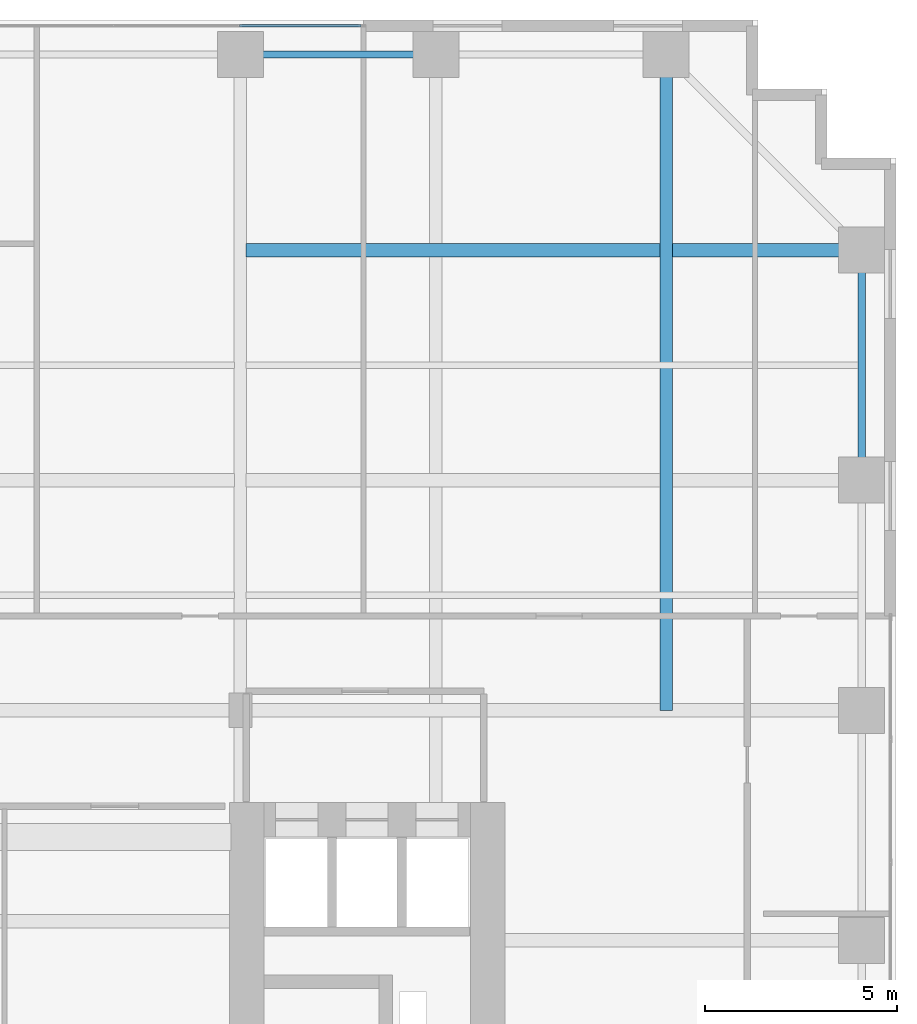
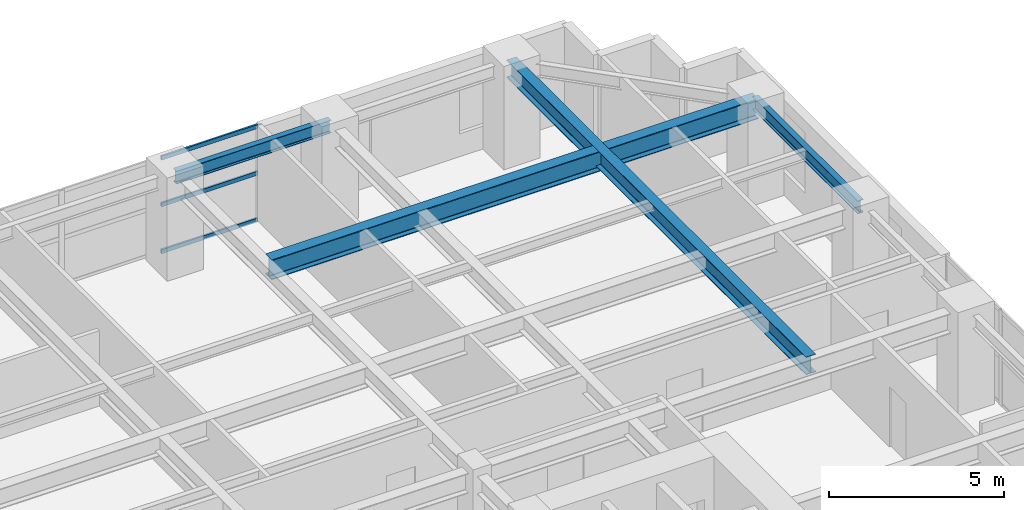
# One storey, part 17 of 24: 4 beams, 3 members, 1 element without a shape of its own.
"""IFC4 building model written with IfcOpenShell, lengths in metres."""

from ifc_helpers import new_model, si_unit, direction, frame, origin, origin_2d, place, context, subcontext, project, spatial, hollow_rectangle, i_section, extrude, source, transform, mapped, material, layer, layer_set, material_profile, profile_set, type_object, element, aggregate, save


model = new_model("IFC4")

# Units and contexts
model_context = context("Model", 3, precision=1e-05, world=origin(), true_north=direction((0.0, 1.0)))
body_context = subcontext(model_context, "Body", "Model", "MODEL_VIEW")
ifc_project = project(units=[si_unit("LENGTHUNIT", "METRE"), si_unit("AREAUNIT", "SQUARE_METRE"), si_unit("VOLUMEUNIT", "CUBIC_METRE"), si_unit("PLANEANGLEUNIT", "RADIAN"), si_unit("MASSUNIT", "GRAM", prefix="KILO")], contexts=[model_context])

# Site, building, storey
site_placement = place(None, origin())
site = spatial("IfcSite", under=ifc_project, at=site_placement, CompositionType="ELEMENT")
building_placement = place(site_placement, origin())
building = spatial("IfcBuilding", under=site, at=building_placement, Name="Khoralis Quay Care Tower", CompositionType="ELEMENT")
storey_placement = place(building_placement, frame((0.0, 0.0, 62.10009765625)))
storey = spatial("IfcBuildingStorey", under=building, at=storey_placement, Name="L16", CompositionType="ELEMENT", Elevation=62.10009765625)

# Beams
ifc_material_1 = material(Name="Steel S355", Category="steel")
ifc_material_profile_1 = material_profile(ifc_material_1, i_section(OverallWidth=0.18994140625, OverallDepth=0.449951171875, WebThickness=0.009521484375, FlangeThickness=0.0146484375, FilletRadius=0.02099609375, at=origin_2d()), Name="Steel S355")
ifc_profile_set_1 = profile_set([ifc_material_profile_1], Name="Steel S355")
beam_type_1 = type_object("IfcBeamType", Name="BM-IPE450", PredefinedType="SPANDREL", material=ifc_profile_set_1)
shared_shape_1 = source(origin(), body_context, "Body", "SweptSolid", [
    extrude(i_section(OverallWidth=0.18994140625, OverallDepth=0.449951171875, WebThickness=0.009521484375, FlangeThickness=0.0146484375, FilletRadius=0.02099609375, at=origin_2d()), origin(), (0.0, 0.0, 1.0), 6.0),
])
beam_1_placement = place(storey_placement, frame((47.10009765625, 36.0, 3.094970703125), z_axis=(0.0, 1.0, 0.0), x_axis=(-1.0, 0.0, 0.0)))
element("IfcBeam", 1, at=beam_1_placement, inside=storey, type_object=beam_type_1, Name="BM-TSP-L16-24", PredefinedType="SPANDREL", context=body_context, shape_type="MappedRepresentation", body=[
    mapped(shared_shape_1, transform((0.0, 0.0, 0.0), scale=1.0)),
])
shared_shape_2 = source(origin(), body_context, "Body", "SweptSolid", [
    extrude(i_section(OverallWidth=0.18994140625, OverallDepth=0.449951171875, WebThickness=0.009521484375, FlangeThickness=0.0146484375, FilletRadius=0.02099609375, at=origin_2d()), origin(), (0.0, 0.0, 1.0), 5.10009765625),
])
beam_2_placement = place(storey_placement, frame((30.89990234375, 47.10009765625, 3.094970703125), z_axis=(1.0, 0.0, 0.0), x_axis=(0.0, 1.0, 0.0)))
element("IfcBeam", 2, at=beam_2_placement, inside=storey, type_object=beam_type_1, Name="BM-TSP-L16-11", PredefinedType="SPANDREL", context=body_context, shape_type="MappedRepresentation", body=[
    mapped(shared_shape_2, transform((0.0, 0.0, 0.0), scale=1.0)),
])
ifc_material_profile_2 = material_profile(ifc_material_1, i_section(OverallWidth=0.35498046875, OverallDepth=0.695068359375, WebThickness=0.015380859375, FlangeThickness=0.02490234375, FilletRadius=0.02001953125, at=origin_2d()), Name="Steel S355")
ifc_profile_set_2 = profile_set([ifc_material_profile_2], Name="Steel S355")
beam_type_2 = type_object("IfcBeamType", Name="BM-W690X217", PredefinedType="BEAM", material=ifc_profile_set_2)
shared_shape_3 = source(origin(), body_context, "Body", "SweptSolid", [
    extrude(i_section(OverallWidth=0.35498046875, OverallDepth=0.695068359375, WebThickness=0.015380859375, FlangeThickness=0.02490234375, FilletRadius=0.02001953125, at=origin_2d()), origin(), (0.0, 0.0, 1.0), 16.049560546875),
])
beam_3_placement = place(storey_placement, frame((31.050537109375, 42.0, 2.972412109375), z_axis=(1.0, 0.0, 0.0), x_axis=(0.0, 1.0, 0.0)))
element("IfcBeam", 3, at=beam_3_placement, inside=storey, type_object=beam_type_2, Name="BM-TGXE-L16-420", PredefinedType="BEAM", context=body_context, shape_type="MappedRepresentation", body=[
    mapped(shared_shape_3, transform((0.0, 0.0, 0.0), scale=1.0)),
])
ifc_material_profile_3 = material_profile(ifc_material_1, i_section(OverallWidth=0.324951171875, OverallDepth=0.615966796875, WebThickness=0.013916015625, FlangeThickness=0.021484375, FilletRadius=0.01806640625, at=origin_2d()), Name="Steel S355")
ifc_profile_set_3 = profile_set([ifc_material_profile_3], Name="Steel S355")
beam_type_3 = type_object("IfcBeamType", Name="BM-W610X174", PredefinedType="BEAM", material=ifc_profile_set_3)
shared_shape_4 = source(origin(), body_context, "Body", "SweptSolid", [
    extrude(i_section(OverallWidth=0.324951171875, OverallDepth=0.615966796875, WebThickness=0.013916015625, FlangeThickness=0.021484375, FilletRadius=0.01806640625, at=origin_2d()), origin(), (0.0, 0.0, 1.0), 17.10009765625),
])
beam_4_placement = place(storey_placement, frame((42.0, 30.0, 3.011962890625), z_axis=(0.0, 1.0, 0.0), x_axis=(-1.0, 0.0, 0.0)))
element("IfcBeam", 4, at=beam_4_placement, inside=storey, type_object=beam_type_3, Name="BM-TGYN-L16-420", PredefinedType="BEAM", context=body_context, shape_type="MappedRepresentation", body=[
    mapped(shared_shape_4, transform((0.0, 0.0, 0.0), scale=1.0)),
])

# Curtain wall, members
ifc_material_2 = material(Name="Pale anodised aluminium", Category="aluminium")
ifc_layer = layer(ifc_material_2, 0.179931640625)
ifc_layer_set = layer_set([ifc_layer], Name="Pale anodised aluminium")
curtain_wall_type = type_object("IfcCurtainWallType", Name="CW-SYS-Z1", PredefinedType="NOTDEFINED", material=ifc_layer_set)
curtain_wall_placement = place(storey_placement, origin())
curtain_wall = element("IfcCurtainWall", 5, at=curtain_wall_placement, inside=storey, type_object=curtain_wall_type, Name="L16 Unitised Curtain Wall CW-L16-P1-E10", PredefinedType="NOTDEFINED")
ifc_material_profile_4 = material_profile(ifc_material_2, hollow_rectangle(XDim=0.06005859375, YDim=0.139892578125, WallThickness=0.00390625, at=origin_2d()), Name="Pale anodised aluminium")
ifc_profile_set_4 = profile_set([ifc_material_profile_4], Name="Pale anodised aluminium")
member_type = type_object("IfcMemberType", Name="CW-TRN-140", PredefinedType="USERDEFINED", material=ifc_profile_set_4)
shared_shape_5 = source(origin(), body_context, "Body", "SweptSolid", [
    extrude(hollow_rectangle(XDim=0.06005859375, YDim=0.139892578125, WallThickness=0.00390625, at=origin_2d()), origin(), (0.0, 0.0, 1.0), 3.17333984375),
])
member_1_placement = place(storey_placement, frame((34.050048828125, 47.85009765625, 0.02978515625), z_axis=(-1.0, 0.0, 0.0), x_axis=(0.0, -1.0, 0.0)))
member_1 = element("IfcMember", 6, at=member_1_placement, type_object=member_type, Name="CW1 transom 1.1", ObjectType="TRANSOM", PredefinedType="USERDEFINED", context=body_context, shape_type="MappedRepresentation", body=[
    mapped(shared_shape_5, transform((0.0, 0.0, 0.0), scale=1.0)),
])
member_2_placement = place(storey_placement, frame((34.050048828125, 47.85009765625, 1.659912109375), z_axis=(-1.0, 0.0, 0.0), x_axis=(0.0, -1.0, 0.0)))
member_2 = element("IfcMember", 7, at=member_2_placement, type_object=member_type, Name="CW1 transom 1.2", ObjectType="TRANSOM", PredefinedType="USERDEFINED", context=body_context, shape_type="MappedRepresentation", body=[
    mapped(shared_shape_5, transform((0.0, 0.0, 0.0), scale=1.0)),
])
member_3_placement = place(storey_placement, frame((34.050048828125, 47.85009765625, 3.289794921875), z_axis=(-1.0, 0.0, 0.0), x_axis=(0.0, -1.0, 0.0)))
member_3 = element("IfcMember", 8, at=member_3_placement, type_object=member_type, Name="CW1 transom 1.3", ObjectType="TRANSOM", PredefinedType="USERDEFINED", context=body_context, shape_type="MappedRepresentation", body=[
    mapped(shared_shape_5, transform((0.0, 0.0, 0.0), scale=1.0)),
])
aggregate(curtain_wall, [member_1, member_2, member_3])

save(model, "model.ifc")
